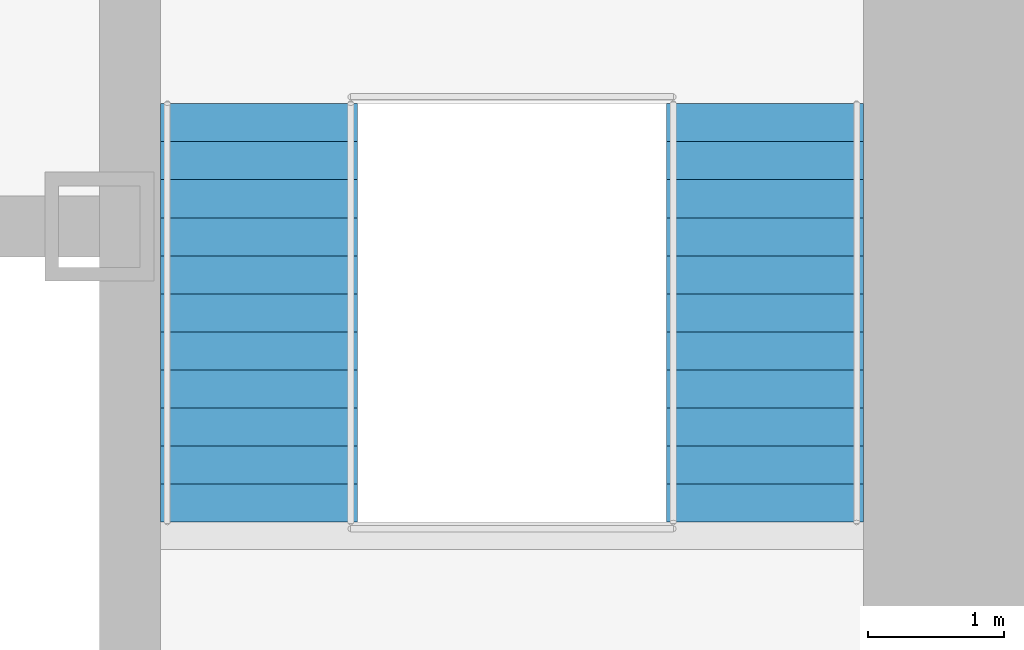
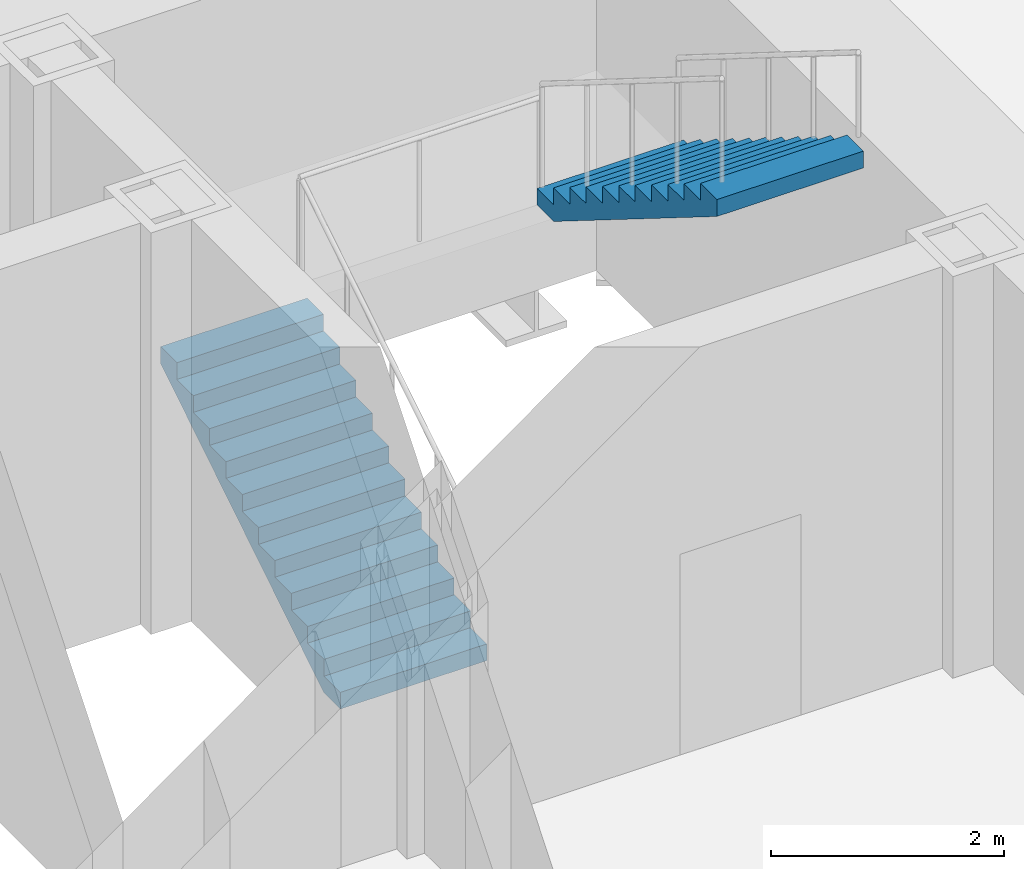
# One storey, part 11 of 17: 2 stair flights, 1 element without a shape of its own.
"""IFC4 building model written with IfcOpenShell, lengths in metres."""

from ifc_helpers import new_model, si_unit, direction, frame, origin, place, context, subcontext, project, spatial, polyline, outline, extrude, material, type_object, element, aggregate, save


model = new_model("IFC4")

# Units and contexts
model_context = context("Model", 3, precision=1e-05, world=origin(), true_north=direction((0.0, 1.0)))
body_context = subcontext(model_context, "Body", "Model", "MODEL_VIEW")
ifc_project = project(units=[si_unit("LENGTHUNIT", "METRE"), si_unit("AREAUNIT", "SQUARE_METRE"), si_unit("VOLUMEUNIT", "CUBIC_METRE"), si_unit("PLANEANGLEUNIT", "RADIAN"), si_unit("MASSUNIT", "GRAM", prefix="KILO")], contexts=[model_context])

# Site, building, storey
site_placement = place(None, origin())
site = spatial("IfcSite", under=ifc_project, at=site_placement, CompositionType="ELEMENT")
building_placement = place(site_placement, origin())
building = spatial("IfcBuilding", under=site, at=building_placement, Name="Daluyong Arena Tower", CompositionType="ELEMENT")
storey_placement = place(building_placement, frame((0.0, 0.0, 124.89990234375)))
storey = spatial("IfcBuildingStorey", under=building, at=storey_placement, Name="L27", CompositionType="ELEMENT", Elevation=124.89990234375)

# Stair, stair flights
ifc_material_1 = material(Name="Concrete fc' 35 MPa", Category="concrete")
stair_type = type_object("IfcStairType", Name="Core exit stair", PredefinedType="HALF_TURN_STAIR", material=ifc_material_1)
stair_placement = place(storey_placement, origin())
stair = element("IfcStair", 1, at=stair_placement, inside=storey, type_object=stair_type, Name="exit stair B L27", PredefinedType="HALF_TURN_STAIR")
ifc_material_2 = material(Name="Concrete fc' 35 MPa", Category="concrete")
stair_flight_type = type_object("IfcStairFlightType", Name="Core stair flight", PredefinedType="STRAIGHT", material=ifc_material_2)
stair_flight_1_placement = place(storey_placement, frame((62.949951171875, 83.824951171875, 0.0), z_axis=(0.0, 0.0, 1.0), x_axis=(0.0, 1.0, 0.0)))
stair_flight_1 = element("IfcStairFlight", 2, at=stair_flight_1_placement, type_object=stair_flight_type, Name="STB flight 1", NumberOfRisers=12, NumberOfTreads=11, PredefinedType="STRAIGHT", RiserHeight=0.175, TreadLength=0.28, context=body_context, shape_type="SweptSolid", body=[
    extrude(outline(polyline([(0.0, 0.0), (0.0, 0.175048828125), (0.280029296875, 0.175048828125), (0.280029296875, 0.35009765625), (0.56005859375, 0.35009765625), (0.56005859375, 0.52490234375), (0.840087890625, 0.52490234375), (0.840087890625, 0.699951171875), (1.1201171875, 0.699951171875), (1.1201171875, 0.875), (1.39990234375, 0.875), (1.39990234375, 1.050048828125), (1.679931640625, 1.050048828125), (1.679931640625, 1.22509765625), (1.9599609375, 1.22509765625), (1.9599609375, 1.39990234375), (2.239990234375, 1.39990234375), (2.239990234375, 1.574951171875), (2.52001953125, 1.574951171875), (2.52001953125, 1.75), (2.800048828125, 1.75), (2.800048828125, 1.925048828125), (3.080078125, 1.925048828125), (3.080078125, 2.10009765625), (3.080078125, 1.748291015625), (0.28271484375, 0.0), (0.0, 0.0)])), frame((0.0, 0.72509765625, 0.0), z_axis=(0.0, -1.0, 0.0), x_axis=(1.0, 0.0, 0.0)), (0.0, 0.0, 1.0), 1.449951171875),
])
stair_flight_2_placement = place(storey_placement, frame((66.675048828125, 86.905029296875, 2.10009765625), z_axis=(0.0, 0.0, 1.0), x_axis=(0.0, -1.0, 0.0)))
stair_flight_2 = element("IfcStairFlight", 3, at=stair_flight_2_placement, type_object=stair_flight_type, Name="STB flight 2", NumberOfRisers=12, NumberOfTreads=11, PredefinedType="STRAIGHT", RiserHeight=0.175, TreadLength=0.28, context=body_context, shape_type="SweptSolid", body=[
    extrude(outline(polyline([(0.0, 0.0), (0.0, 0.175048828125), (0.280029296875, 0.175048828125), (0.280029296875, 0.35009765625), (0.56005859375, 0.35009765625), (0.56005859375, 0.52490234375), (0.840087890625, 0.52490234375), (0.840087890625, 0.699951171875), (1.1201171875, 0.699951171875), (1.1201171875, 0.875), (1.39990234375, 0.875), (1.39990234375, 1.050048828125), (1.679931640625, 1.050048828125), (1.679931640625, 1.22509765625), (1.9599609375, 1.22509765625), (1.9599609375, 1.39990234375), (2.239990234375, 1.39990234375), (2.239990234375, 1.574951171875), (2.52001953125, 1.574951171875), (2.52001953125, 1.75), (2.800048828125, 1.75), (2.800048828125, 1.925048828125), (3.080078125, 1.925048828125), (3.080078125, 2.10009765625), (3.080078125, 1.748291015625), (0.28271484375, 0.0), (0.0, 0.0)])), frame((0.0, 0.72509765625, 0.0), z_axis=(0.0, -1.0, 0.0), x_axis=(1.0, 0.0, 0.0)), (0.0, 0.0, 1.0), 1.449951171875),
])
aggregate(stair, [stair_flight_1, stair_flight_2])

save(model, "model.ifc")
